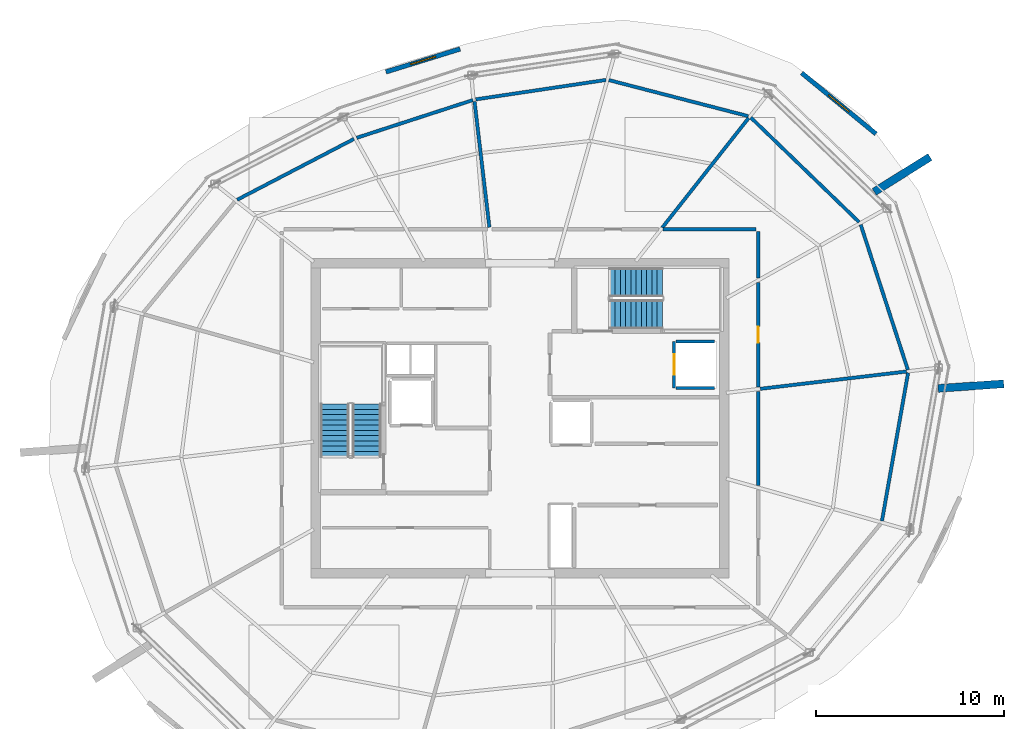
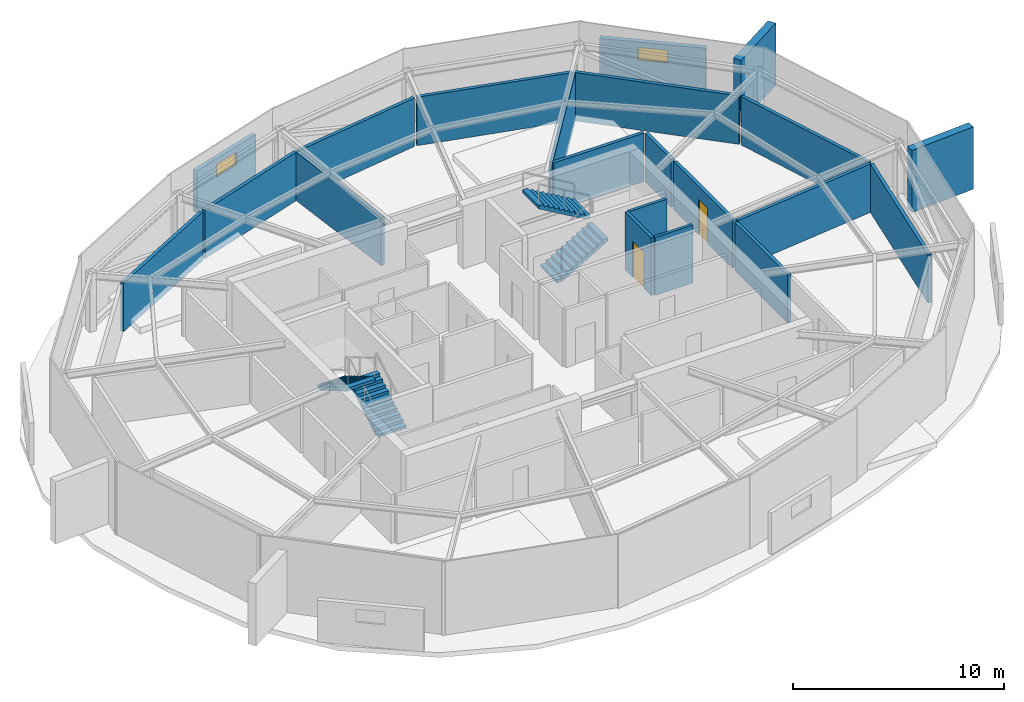
# One storey, part 9 of 10: 21 walls, 4 stair flights, 2 doors, 2 windows, 4 openings, 2 elements without a shape of their own.
"""IFC4 building model written with IfcOpenShell, lengths in metres."""

from ifc_helpers import new_model, si_unit, direction, frame, frame_2d, origin, place, context, subcontext, project, spatial, polyline, rectangle, outline, extrude, material, layer, layer_set, type_object, element, fill, aggregate, save


model = new_model("IFC4")

# Units and contexts
model_context = context("Model", 3, precision=1e-05, world=origin(), true_north=direction((0.0, 1.0)))
body_context = subcontext(model_context, "Body", "Model", "MODEL_VIEW")
ifc_project = project(units=[si_unit("LENGTHUNIT", "METRE"), si_unit("AREAUNIT", "SQUARE_METRE"), si_unit("VOLUMEUNIT", "CUBIC_METRE"), si_unit("PLANEANGLEUNIT", "RADIAN"), si_unit("MASSUNIT", "GRAM", prefix="KILO")], contexts=[model_context])

# Site, building, storey
site_placement = place(None, origin())
site = spatial("IfcSite", under=ifc_project, at=site_placement, CompositionType="ELEMENT")
building_placement = place(site_placement, origin())
building = spatial("IfcBuilding", under=site, at=building_placement, Name="Kazma Halo Residences", CompositionType="ELEMENT")
storey_placement = place(building_placement, frame((0.0, 0.0, 374.0)))
storey = spatial("IfcBuildingStorey", under=building, at=storey_placement, Name="L94", CompositionType="ELEMENT", Elevation=374.0)

# Walls
ifc_material_1 = material(Name="Pale Concrete C60/75", Category="concrete")
ifc_layer_1 = layer(ifc_material_1, 0.419921875)
ifc_layer_set_1 = layer_set([ifc_layer_1], Name="Pale Concrete C60/75")
wall_type_1 = type_object("IfcWallType", Name="WL-BLADE-420", PredefinedType="SOLIDWALL", material=ifc_layer_set_1)
for number, where, z_axis, x_axis, name in (
    (1, (67.268798828125, 54.04052734375, 0.0), (0.0, 0.0, 1.0), (0.848033572426, 0.529942506352, 0.0), "L94 pale concrete structural blade fin wall BW-01"),
    (2, (70.666015625, 43.5849609375, 0.0), (0.0, 0.0, 1.0), (0.997564163539, 0.069754853754, 0.0), "L94 pale concrete structural blade fin wall BW-04"),
):
    element("IfcWall", number, at=place(storey_placement, frame(where, z_axis=z_axis, x_axis=x_axis)), inside=storey, type_object=wall_type_1, Name=name, PredefinedType="SOLIDWALL", context=body_context, shape_type="SweptSolid", body=[
        extrude(rectangle(XDim=3.5, YDim=0.419921875, at=frame_2d((1.75, 0.0))), origin(), (0.0, 0.0, 1.0), 3.60009765625),
    ])
ifc_material_2 = material(Name="Acoustic Twin-Stud Gypsum")
ifc_layer_2 = layer(ifc_material_2, 0.179931640625)
ifc_layer_set_2 = layer_set([ifc_layer_2], Name="Acoustic Twin-Stud Gypsum")
wall_type_2 = type_object("IfcWallType", Name="WL-DEM-180", PredefinedType="PARTITIONING", material=ifc_layer_set_2)
wall_1_placement = place(storey_placement, frame((66.466796875, 52.4296875, 0.0), z_axis=(0.0, 0.0, 1.0), x_axis=(-0.719364153135, 0.694633151516, 0.0)))
element("IfcWall", 3, at=wall_1_placement, inside=storey, type_object=wall_type_2, Name="L94 crown plant perimeter wall 00", PredefinedType="PARTITIONING", context=body_context, shape_type="SweptSolid", body=[
    extrude(rectangle(XDim=8.006103515625, YDim=0.179931640625, at=frame_2d((4.0029296875, 0.0))), origin(), (0.0, 0.0, 1.0), 2.800048828125),
])
wall_2_placement = place(storey_placement, frame((60.57275390625, 58.06640625, 0.0), z_axis=(0.0, 0.0, 1.0), x_axis=(-0.968117205342, 0.250497658115, 0.0)))
element("IfcWall", 4, at=wall_2_placement, inside=storey, type_object=wall_type_2, Name="L94 crown plant perimeter wall 01", PredefinedType="PARTITIONING", context=body_context, shape_type="SweptSolid", body=[
    extrude(rectangle(XDim=7.66162109375, YDim=0.179931640625, at=frame_2d((3.830810546875, 0.0))), origin(), (0.0, 0.0, 1.0), 2.800048828125),
])
wall_3_placement = place(storey_placement, frame((52.9990234375, 59.99365234375, 0.0), z_axis=(0.0, 0.0, 1.0), x_axis=(-0.989034336252, -0.147685753256, 0.0)))
element("IfcWall", 5, at=wall_3_placement, inside=storey, type_object=wall_type_2, Name="L94 crown plant perimeter wall 02", PredefinedType="PARTITIONING", context=body_context, shape_type="SweptSolid", body=[
    extrude(rectangle(XDim=7.002685546875, YDim=0.179931640625, at=frame_2d((3.50146484375, 0.0))), origin(), (0.0, 0.0, 1.0), 2.800048828125),
])
wall_4_placement = place(storey_placement, frame((45.91796875, 58.923095703125, 0.0), z_axis=(0.0, 0.0, 1.0), x_axis=(-0.95105283999, -0.309028308649, 0.0)))
element("IfcWall", 6, at=wall_4_placement, inside=storey, type_object=wall_type_2, Name="L94 crown plant perimeter wall 03", PredefinedType="PARTITIONING", context=body_context, shape_type="SweptSolid", body=[
    extrude(rectangle(XDim=6.498779296875, YDim=0.179931640625, at=frame_2d((3.24951171875, 0.0))), origin(), (0.0, 0.0, 1.0), 2.800048828125),
])
wall_5_placement = place(storey_placement, frame((39.590087890625, 56.85302734375, 0.0), z_axis=(0.0, 0.0, 1.0), x_axis=(-0.886949494865, -0.461866423935, 0.0)))
element("IfcWall", 7, at=wall_5_placement, inside=storey, type_object=wall_type_2, Name="L94 crown plant perimeter wall 04", PredefinedType="PARTITIONING", context=body_context, shape_type="SweptSolid", body=[
    extrude(rectangle(XDim=7.002197265625, YDim=0.179931640625, at=frame_2d((3.5009765625, 0.0))), origin(), (0.0, 0.0, 1.0), 2.800048828125),
])
wall_6_placement = place(storey_placement, frame((67.679931640625, 36.532470703125, 0.0), z_axis=(0.0, 0.0, 1.0), x_axis=(0.173668776466, 0.984804120666, 0.0)))
element("IfcWall", 8, at=wall_6_placement, inside=storey, type_object=wall_type_2, Name="L94 crown plant perimeter wall 14", PredefinedType="PARTITIONING", context=body_context, shape_type="SweptSolid", body=[
    extrude(rectangle(XDim=8.005859375, YDim=0.179931640625, at=frame_2d((4.0029296875, 0.0))), origin(), (0.0, 0.0, 1.0), 2.800048828125),
])
wall_7_placement = place(storey_placement, frame((69.059326171875, 44.571533203125, 0.0), z_axis=(0.0, 0.0, 1.0), x_axis=(-0.309024234991, 0.951054163646, 0.0)))
element("IfcWall", 9, at=wall_7_placement, inside=storey, type_object=wall_type_2, Name="L94 crown plant perimeter wall 15", PredefinedType="PARTITIONING", context=body_context, shape_type="SweptSolid", body=[
    extrude(rectangle(XDim=8.1240234375, YDim=0.179931640625, at=frame_2d((4.06201171875, 0.0))), origin(), (0.0, 0.0, 1.0), 2.800048828125),
])
wall_8_placement = place(storey_placement, frame((46.797607421875, 52.1591796875, 0.0), z_axis=(0.0, 0.0, 1.0), x_axis=(-0.117541495417, 0.993067971921, 0.0)))
element("IfcWall", 10, at=wall_8_placement, inside=storey, type_object=wall_type_2, Name="L94 radial partition wall 03", PredefinedType="PARTITIONING", context=body_context, shape_type="SweptSolid", body=[
    extrude(rectangle(XDim=6.73583984375, YDim=0.179931640625, at=frame_2d((3.367919921875, 0.0))), origin(), (0.0, 0.0, 1.0), 2.800048828125),
])
wall_9_placement = place(storey_placement, frame((61.10009765625, 38.42529296875, 0.0), z_axis=(0.0, 0.0, 1.0), x_axis=(0.0, 1.0, 0.0)))
element("IfcWall", 11, at=wall_9_placement, inside=storey, type_object=wall_type_2, Name="L94 L94 Domestic Break Water Tank Room corridor wall", PredefinedType="PARTITIONING", context=body_context, shape_type="SweptSolid", body=[
    extrude(rectangle(XDim=5.005126953125, YDim=0.179931640625, at=frame_2d((2.50244140625, 0.0))), origin(), (0.0, 0.0, 1.0), 2.800048828125),
])
wall_10_placement = place(storey_placement, frame((61.209228515625, 43.5634765625, 0.0), z_axis=(0.0, 0.0, 1.0), x_axis=(0.993070558818, 0.117519637545, 0.0)))
element("IfcWall", 12, at=wall_10_placement, inside=storey, type_object=wall_type_2, Name="L94 radial partition wall 15", PredefinedType="PARTITIONING", context=body_context, shape_type="SweptSolid", body=[
    extrude(rectangle(XDim=7.829833984375, YDim=0.179931640625, at=frame_2d((3.9150390625, 0.0))), origin(), (0.0, 0.0, 1.0), 2.800048828125),
])

# Wall, opening, door
wall_11_placement = place(storey_placement, frame((61.10009765625, 43.67041015625, 0.0), z_axis=(0.0, 0.0, 1.0), x_axis=(0.0, 1.0, 0.0)))
wall_11 = element("IfcWall", 13, at=wall_11_placement, inside=storey, type_object=wall_type_2, Name="L94 L94 HV Switchgear Plant Room corridor wall", PredefinedType="PARTITIONING", context=body_context, shape_type="SweptSolid", body=[
    extrude(rectangle(XDim=5.5458984375, YDim=0.179931640625, at=frame_2d((2.77294921875, 0.0))), origin(), (0.0, 0.0, 1.0), 2.800048828125),
])
opening_1_placement = place(wall_11_placement, frame((2.347900390625, 0.0, 0.0)))
opening_1 = element("IfcOpeningElement", 14, at=opening_1_placement, cuts=wall_11, Name="Opening DS-850", PredefinedType="OPENING", context=body_context, shape_type="SweptSolid", body=[
    extrude(rectangle(XDim=0.85009765625, YDim=2.06005859375, at=frame_2d((0.425048828125, 1.030029296875))), frame((0.0, 0.099853515625, 0.0), z_axis=(0.0, -1.0, 0.0), x_axis=(1.0, 0.0, 0.0)), (0.0, 0.0, 1.0), 0.199951171875),
])
ifc_material_3 = material(Name="Painted Steel Access Leaf", Category="steel")
door_type_1 = type_object("IfcDoorType", Name="DR-SVC-850", OperationType="NOTDEFINED", PredefinedType="DOOR", material=ifc_material_3)
door_1_placement = place(opening_1_placement, origin())
door_1 = element("IfcDoor", 15, at=door_1_placement, inside=storey, type_object=door_type_1, Name="L94 L94 HV Switchgear Plant Room door", OperationType="SINGLE_SWING_LEFT", OverallHeight=2.06005859375, OverallWidth=0.85009765625, PredefinedType="DOOR", context=body_context, shape_type="SweptSolid", body=[
    extrude(rectangle(XDim=0.85009765625, YDim=2.06005859375, at=frame_2d((0.425048828125, 1.030029296875))), frame((0.0, 0.02490234375, 0.0), z_axis=(0.0, -1.0, 0.0), x_axis=(1.0, 0.0, 0.0)), (0.0, 0.0, 1.0), 0.050048828125),
])
fill(opening_1, door_1)

# Walls
wall_12_placement = place(storey_placement, frame((61.10009765625, 49.456298828125, 0.0), z_axis=(0.0, 0.0, 1.0), x_axis=(0.0, 1.0, 0.0)))
element("IfcWall", 16, at=wall_12_placement, inside=storey, type_object=wall_type_2, Name="L94 L94 HV Switchgear Plant Room corridor wall", PredefinedType="PARTITIONING", context=body_context, shape_type="SweptSolid", body=[
    extrude(rectangle(XDim=2.4736328125, YDim=0.179931640625, at=frame_2d((1.23681640625, 0.0))), origin(), (0.0, 0.0, 1.0), 2.800048828125),
])
wall_13_placement = place(storey_placement, frame((60.97998046875, 52.050048828125, 0.0), z_axis=(0.0, 0.0, 1.0), x_axis=(-1.0, 0.0, 0.0)))
element("IfcWall", 17, at=wall_13_placement, inside=storey, type_object=wall_type_2, Name="L94 L94 HV Switchgear Plant Room corridor wall", PredefinedType="PARTITIONING", context=body_context, shape_type="SweptSolid", body=[
    extrude(rectangle(XDim=4.937255859375, YDim=0.179931640625, at=frame_2d((2.46875, 0.0))), origin(), (0.0, 0.0, 1.0), 2.800048828125),
])
wall_14_placement = place(storey_placement, frame((55.990966796875, 52.136474609375, 0.0), z_axis=(0.0, 0.0, 1.0), x_axis=(0.619089811342, 0.785320192974, 0.0)))
element("IfcWall", 18, at=wall_14_placement, inside=storey, type_object=wall_type_2, Name="L94 radial partition wall 01", PredefinedType="PARTITIONING", context=body_context, shape_type="SweptSolid", body=[
    extrude(rectangle(XDim=7.42578125, YDim=0.179931640625, at=frame_2d((3.712890625, 0.0))), origin(), (0.0, 0.0, 1.0), 2.800048828125),
])

# Wall, opening, window
ifc_material_4 = material(Name="Insulated Pale-Metal Composite Wall")
ifc_layer_3 = layer(ifc_material_4, 0.239990234375)
ifc_layer_set_3 = layer_set([ifc_layer_3], Name="Insulated Pale-Metal Composite Wall")
wall_type_3 = type_object("IfcWallType", Name="WL-EXT-HOST-240", PredefinedType="SOLIDWALL", material=ifc_layer_set_3)
wall_15_placement = place(storey_placement, frame((67.358642578125, 57.124755859375, 0.0), z_axis=(0.0, 0.0, 1.0), x_axis=(-0.772921300133, 0.634501902125, 0.0)))
wall_15 = element("IfcWall", 19, at=wall_15_placement, inside=storey, type_object=wall_type_3, Name="L94 crown clerestory band wall 01", PredefinedType="SOLIDWALL", context=body_context, shape_type="SweptSolid", body=[
    extrude(rectangle(XDim=5.10791015625, YDim=0.239990234375, at=frame_2d((2.553955078125, 0.0))), origin(), (0.0, 0.0, 1.0), 2.409912109375),
])
opening_2_placement = place(wall_15_placement, frame((1.85400390625, 0.0, 1.35009765625)))
opening_2 = element("IfcOpeningElement", 20, at=opening_2_placement, cuts=wall_15, Name="Opening WSK-1400", PredefinedType="OPENING", context=body_context, shape_type="SweptSolid", body=[
    extrude(rectangle(XDim=1.39990234375, YDim=0.75, at=frame_2d((0.699951171875, 0.375))), frame((0.0, 0.1298828125, 0.0), z_axis=(0.0, -1.0, 0.0), x_axis=(1.0, 0.0, 0.0)), (0.0, 0.0, 1.0), 0.260009765625),
])
ifc_material_5 = material(Name="Clear Triple-Silver Low-E Glass in Aluminium AW-6063 T6 Frame", Category="aluminium")
window_type = type_object("IfcWindowType", Name="WIN-CRWN-SKYL-1400", PartitioningType="SINGLE_PANEL", PredefinedType="SKYLIGHT", material=ifc_material_5)
window_1_placement = place(opening_2_placement, origin())
window_1 = element("IfcWindow", 21, at=window_1_placement, inside=storey, type_object=window_type, Name="L94 crown clerestory skylight 01", OverallHeight=0.75, OverallWidth=1.39990234375, PartitioningType="SINGLE_PANEL", PredefinedType="SKYLIGHT", context=body_context, shape_type="SweptSolid", body=[
    extrude(rectangle(XDim=1.39990234375, YDim=0.75, at=frame_2d((0.699951171875, 0.375))), frame((0.0, 0.030029296875, 0.0), z_axis=(0.0, -1.0, 0.0), x_axis=(1.0, 0.0, 0.0)), (0.0, 0.0, 1.0), 0.06005859375),
])
fill(opening_2, window_1)

wall_16_placement = place(storey_placement, frame((45.239501953125, 61.64208984375, 0.0), z_axis=(0.0, 0.0, 1.0), x_axis=(-0.955241739185, -0.295826333714, 0.0)))
wall_16 = element("IfcWall", 22, at=wall_16_placement, inside=storey, type_object=wall_type_3, Name="L94 crown clerestory band wall 02", PredefinedType="SOLIDWALL", context=body_context, shape_type="SweptSolid", body=[
    extrude(rectangle(XDim=4.12890625, YDim=0.239990234375, at=frame_2d((2.064453125, 0.0))), origin(), (0.0, 0.0, 1.0), 2.409912109375),
])
opening_3_placement = place(wall_16_placement, frame((1.364501953125, 0.0, 1.35009765625)))
opening_3 = element("IfcOpeningElement", 23, at=opening_3_placement, cuts=wall_16, Name="Opening WSK-1400", PredefinedType="OPENING", context=body_context, shape_type="SweptSolid", body=[
    extrude(rectangle(XDim=1.39990234375, YDim=0.75, at=frame_2d((0.699951171875, 0.375))), frame((0.0, 0.1298828125, 0.0), z_axis=(0.0, -1.0, 0.0), x_axis=(1.0, 0.0, 0.0)), (0.0, 0.0, 1.0), 0.260009765625),
])
window_2_placement = place(opening_3_placement, origin())
window_2 = element("IfcWindow", 24, at=window_2_placement, inside=storey, type_object=window_type, Name="L94 crown clerestory skylight 02", OverallHeight=0.75, OverallWidth=1.39990234375, PartitioningType="SINGLE_PANEL", PredefinedType="SKYLIGHT", context=body_context, shape_type="SweptSolid", body=[
    extrude(rectangle(XDim=1.39990234375, YDim=0.75, at=frame_2d((0.699951171875, 0.375))), frame((0.0, 0.030029296875, 0.0), z_axis=(0.0, -1.0, 0.0), x_axis=(1.0, 0.0, 0.0)), (0.0, 0.0, 1.0), 0.06005859375),
])
fill(opening_3, window_2)

# Wall, opening, door
ifc_material_6 = material(Name="Fire-Rated Blockwork Masonry", Category="masonry")
ifc_layer_4 = layer(ifc_material_6, 0.199951171875)
ifc_layer_set_4 = layer_set([ifc_layer_4], Name="Fire-Rated Blockwork Masonry")
wall_type_4 = type_object("IfcWallType", Name="WL-FLB-200", PredefinedType="PARTITIONING", material=ifc_layer_set_4)
wall_17_placement = place(storey_placement, frame((56.6201171875, 46.080078125, 0.0), z_axis=(0.0, 0.0, 1.0), x_axis=(0.0, -1.0, 0.0)))
wall_17 = element("IfcWall", 25, at=wall_17_placement, inside=storey, type_object=wall_type_4, Name="L94 lift shaft FL-02 front wall", PredefinedType="PARTITIONING", context=body_context, shape_type="SweptSolid", body=[
    extrude(rectangle(XDim=2.4599609375, YDim=0.159912109375, at=frame_2d((1.22998046875, 0.0))), origin(), (0.0, 0.0, 1.0), 3.360107421875),
])
opening_4_placement = place(wall_17_placement, frame((0.679931640625, 0.0, 0.0)))
opening_4 = element("IfcOpeningElement", 26, at=opening_4_placement, cuts=wall_17, Name="Opening LD-FL-02", PredefinedType="OPENING", context=body_context, shape_type="SweptSolid", body=[
    extrude(rectangle(XDim=1.10009765625, YDim=2.10009765625, at=frame_2d((0.550048828125, 1.050048828125))), frame((0.0, 0.08984375, 0.0), z_axis=(0.0, -1.0, 0.0), x_axis=(1.0, 0.0, 0.0)), (0.0, 0.0, 1.0), 0.179931640625),
])
ifc_material_7 = material(Name="Stainless Steel Fire-Rated", Category="steel")
door_type_2 = type_object("IfcDoorType", Name="DR-LIFT-SLD-1100", OperationType="DOUBLE_DOOR_SLIDING", PredefinedType="DOOR", material=ifc_material_7)
door_2_placement = place(opening_4_placement, origin())
door_2 = element("IfcDoor", 27, at=door_2_placement, inside=storey, type_object=door_type_2, Name="L94 lift FL-02 sliding landing door", OperationType="DOUBLE_DOOR_SLIDING", OverallHeight=2.10009765625, OverallWidth=1.10009765625, PredefinedType="DOOR", context=body_context, shape_type="SweptSolid", body=[
    extrude(rectangle(XDim=1.10009765625, YDim=2.10009765625, at=frame_2d((0.550048828125, 1.050048828125))), frame((0.0, 0.02490234375, 0.0), z_axis=(0.0, -1.0, 0.0), x_axis=(1.0, 0.0, 0.0)), (0.0, 0.0, 1.0), 0.050048828125),
])
fill(opening_4, door_2)

# Walls
for number, where, z_axis, x_axis, name in (
    (28, (56.719970703125, 46.080078125, 0.0), (0.0, 0.0, 1.0), (1.0, 0.0, 0.0), "L94 lift shaft FL-02 side wall N"),
    (29, (56.719970703125, 43.6201171875, 0.0), (0.0, 0.0, 1.0), (1.0, 0.0, 0.0), "L94 lift shaft FL-02 side wall S"),
):
    element("IfcWall", number, at=place(storey_placement, frame(where, z_axis=z_axis, x_axis=x_axis)), inside=storey, type_object=wall_type_4, Name=name, PredefinedType="PARTITIONING", context=body_context, shape_type="SweptSolid", body=[
        extrude(rectangle(XDim=2.06005859375, YDim=0.159912109375, at=frame_2d((1.030029296875, 0.0))), origin(), (0.0, 0.0, 1.0), 3.360107421875),
    ])

# Stair, stair flights
ifc_material_8 = material(Name="Concrete C50/60", Category="concrete")
stair_type = type_object("IfcStairType", Name="STR-CRWN", PredefinedType="HALF_TURN_STAIR", material=ifc_material_8)
stair_1_placement = place(storey_placement, origin())
stair_1 = element("IfcStair", 30, at=stair_1_placement, inside=storey, type_object=stair_type, Name="L94 Core exit stair ST-01", PredefinedType="HALF_TURN_STAIR")
stair_flight_type = type_object("IfcStairFlightType", Name="STR-CRWN-FLT", PredefinedType="STRAIGHT", material=ifc_material_8)
stair_flight_1_placement = place(storey_placement, frame((40.27490234375, 39.949951171875, 0.0), z_axis=(0.0, 0.0, 1.0), x_axis=(0.0, 1.0, 0.0)))
stair_flight_1 = element("IfcStairFlight", 31, at=stair_flight_1_placement, type_object=stair_flight_type, Name="ST-01 flight 1", NumberOfRisers=11, NumberOfTreads=10, PredefinedType="STRAIGHT", RiserHeight=0.163636364, TreadLength=0.28, context=body_context, shape_type="SweptSolid", body=[
    extrude(outline(polyline([(0.0, 0.0), (0.0, 0.16357421875), (0.280029296875, 0.16357421875), (0.280029296875, 0.327392578125), (0.56005859375, 0.327392578125), (0.56005859375, 0.490966796875), (0.840087890625, 0.490966796875), (0.840087890625, 0.654541015625), (1.1201171875, 0.654541015625), (1.1201171875, 0.818115234375), (1.39990234375, 0.818115234375), (1.39990234375, 0.98193359375), (1.679931640625, 0.98193359375), (1.679931640625, 1.1455078125), (1.9599609375, 1.1455078125), (1.9599609375, 1.30908203125), (2.239990234375, 1.30908203125), (2.239990234375, 1.47265625), (2.52001953125, 1.47265625), (2.52001953125, 1.636474609375), (2.800048828125, 1.636474609375), (2.800048828125, 1.800048828125), (2.800048828125, 1.462646484375), (0.297119140625, 0.0), (0.0, 0.0)])), frame((0.0, 0.77490234375, 0.0), z_axis=(0.0, -1.0, 0.0), x_axis=(1.0, 0.0, 0.0)), (0.0, 0.0, 1.0), 1.550048828125),
])
stair_flight_2_placement = place(storey_placement, frame((38.574951171875, 42.75, 1.800048828125), z_axis=(0.0, 0.0, 1.0), x_axis=(0.0, -1.0, 0.0)))
stair_flight_2 = element("IfcStairFlight", 32, at=stair_flight_2_placement, type_object=stair_flight_type, Name="ST-01 flight 2", NumberOfRisers=11, NumberOfTreads=10, PredefinedType="STRAIGHT", RiserHeight=0.163636364, TreadLength=0.28, context=body_context, shape_type="SweptSolid", body=[
    extrude(outline(polyline([(0.0, 0.0), (0.0, 0.16357421875), (0.280029296875, 0.16357421875), (0.280029296875, 0.327392578125), (0.56005859375, 0.327392578125), (0.56005859375, 0.490966796875), (0.840087890625, 0.490966796875), (0.840087890625, 0.654541015625), (1.1201171875, 0.654541015625), (1.1201171875, 0.818115234375), (1.39990234375, 0.818115234375), (1.39990234375, 0.98193359375), (1.679931640625, 0.98193359375), (1.679931640625, 1.1455078125), (1.9599609375, 1.1455078125), (1.9599609375, 1.30908203125), (2.239990234375, 1.30908203125), (2.239990234375, 1.47265625), (2.52001953125, 1.47265625), (2.52001953125, 1.636474609375), (2.800048828125, 1.636474609375), (2.800048828125, 1.800048828125), (2.800048828125, 1.462646484375), (0.297119140625, 0.0), (0.0, 0.0)])), frame((0.0, 0.77490234375, 0.0), z_axis=(0.0, -1.0, 0.0), x_axis=(1.0, 0.0, 0.0)), (0.0, 0.0, 1.0), 1.550048828125),
])
aggregate(stair_1, [stair_flight_1, stair_flight_2])

stair_2_placement = place(storey_placement, origin())
stair_2 = element("IfcStair", 33, at=stair_2_placement, inside=storey, type_object=stair_type, Name="L94 Core exit stair ST-02", PredefinedType="HALF_TURN_STAIR")
stair_flight_3_placement = place(storey_placement, frame((53.199951171875, 47.52490234375, 0.0), z_axis=(0.0, 0.0, 1.0), x_axis=(1.0, 0.0, 0.0)))
stair_flight_3 = element("IfcStairFlight", 34, at=stair_flight_3_placement, type_object=stair_flight_type, Name="ST-02 flight 1", NumberOfRisers=11, NumberOfTreads=10, PredefinedType="STRAIGHT", RiserHeight=0.163636364, TreadLength=0.28, context=body_context, shape_type="SweptSolid", body=[
    extrude(outline(polyline([(0.0, 0.0), (0.0, 0.16357421875), (0.280029296875, 0.16357421875), (0.280029296875, 0.327392578125), (0.56005859375, 0.327392578125), (0.56005859375, 0.490966796875), (0.840087890625, 0.490966796875), (0.840087890625, 0.654541015625), (1.1201171875, 0.654541015625), (1.1201171875, 0.818115234375), (1.39990234375, 0.818115234375), (1.39990234375, 0.98193359375), (1.679931640625, 0.98193359375), (1.679931640625, 1.1455078125), (1.9599609375, 1.1455078125), (1.9599609375, 1.30908203125), (2.239990234375, 1.30908203125), (2.239990234375, 1.47265625), (2.52001953125, 1.47265625), (2.52001953125, 1.636474609375), (2.800048828125, 1.636474609375), (2.800048828125, 1.800048828125), (2.800048828125, 1.462646484375), (0.297119140625, 0.0), (0.0, 0.0)])), frame((0.0, 0.77490234375, 0.0), z_axis=(0.0, -1.0, 0.0), x_axis=(1.0, 0.0, 0.0)), (0.0, 0.0, 1.0), 1.550048828125),
])
stair_flight_4_placement = place(storey_placement, frame((56.0, 49.22509765625, 1.800048828125), z_axis=(0.0, 0.0, 1.0), x_axis=(-1.0, 0.0, 0.0)))
stair_flight_4 = element("IfcStairFlight", 35, at=stair_flight_4_placement, type_object=stair_flight_type, Name="ST-02 flight 2", NumberOfRisers=11, NumberOfTreads=10, PredefinedType="STRAIGHT", RiserHeight=0.163636364, TreadLength=0.28, context=body_context, shape_type="SweptSolid", body=[
    extrude(outline(polyline([(0.0, 0.0), (0.0, 0.16357421875), (0.280029296875, 0.16357421875), (0.280029296875, 0.327392578125), (0.56005859375, 0.327392578125), (0.56005859375, 0.490966796875), (0.840087890625, 0.490966796875), (0.840087890625, 0.654541015625), (1.1201171875, 0.654541015625), (1.1201171875, 0.818115234375), (1.39990234375, 0.818115234375), (1.39990234375, 0.98193359375), (1.679931640625, 0.98193359375), (1.679931640625, 1.1455078125), (1.9599609375, 1.1455078125), (1.9599609375, 1.30908203125), (2.239990234375, 1.30908203125), (2.239990234375, 1.47265625), (2.52001953125, 1.47265625), (2.52001953125, 1.636474609375), (2.800048828125, 1.636474609375), (2.800048828125, 1.800048828125), (2.800048828125, 1.462646484375), (0.297119140625, 0.0), (0.0, 0.0)])), frame((0.0, 0.77490234375, 0.0), z_axis=(0.0, -1.0, 0.0), x_axis=(1.0, 0.0, 0.0)), (0.0, 0.0, 1.0), 1.550048828125),
])
aggregate(stair_2, [stair_flight_3, stair_flight_4])

save(model, "model.ifc")
